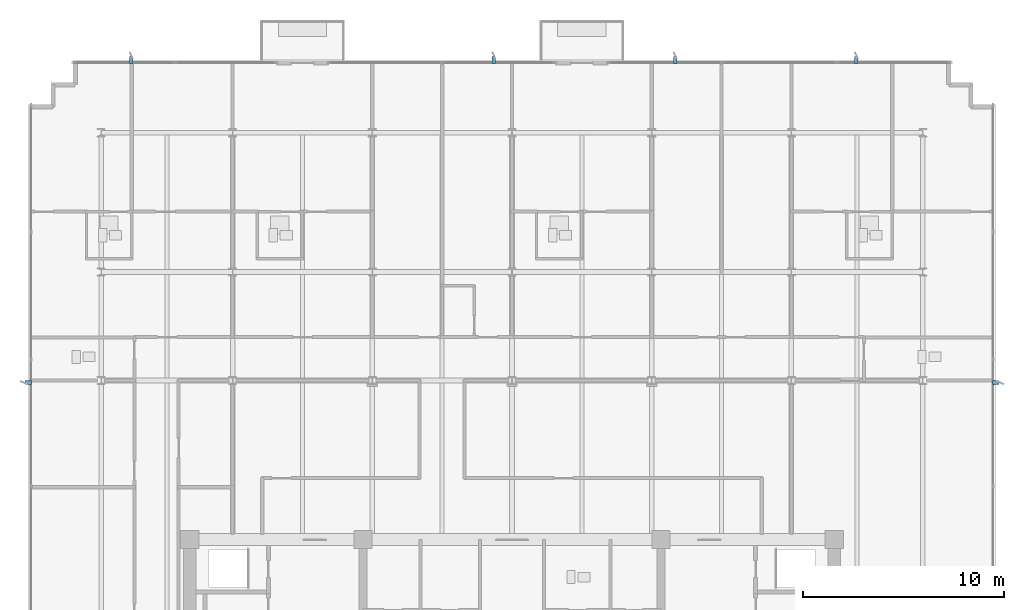
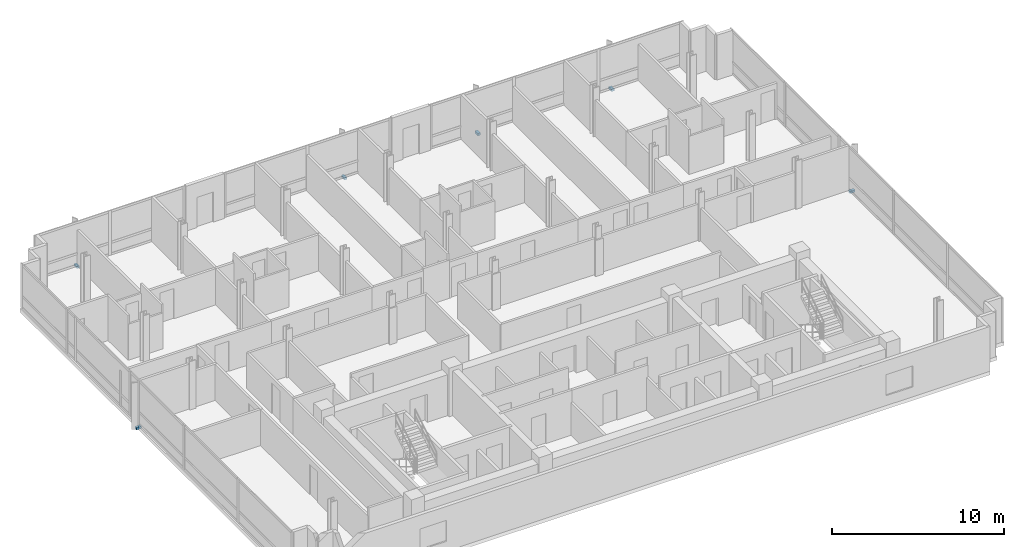
# One storey, part 12 of 15: 6 discrete accessories.
"""IFC4 building model written with IfcOpenShell, lengths in metres."""

from ifc_helpers import new_model, si_unit, direction, frame, origin, origin_2d, place, context, subcontext, project, spatial, rectangle, extrude, material, type_object, element, save


model = new_model("IFC4")

# Units and contexts
model_context = context("Model", 3, precision=1e-05, world=origin(), true_north=direction((0.0, 1.0)))
body_context = subcontext(model_context, "Body", "Model", "MODEL_VIEW")
ifc_project = project(units=[si_unit("LENGTHUNIT", "METRE"), si_unit("AREAUNIT", "SQUARE_METRE"), si_unit("VOLUMEUNIT", "CUBIC_METRE"), si_unit("PLANEANGLEUNIT", "RADIAN"), si_unit("MASSUNIT", "GRAM", prefix="KILO")], contexts=[model_context])

# Site, building, storey
site_placement = place(None, origin())
site = spatial("IfcSite", under=ifc_project, at=site_placement, CompositionType="ELEMENT")
building_placement = place(site_placement, origin())
building = spatial("IfcBuilding", under=site, at=building_placement, Name="Solmavex Isthmus Hotel", CompositionType="ELEMENT")
storey_placement = place(building_placement, frame((0.0, 0.0, 259.199951171875)))
storey = spatial("IfcBuildingStorey", under=building, at=storey_placement, Name="L70", CompositionType="ELEMENT", Elevation=259.199951171875)

# Discrete accessories
ifc_material = material(Name="Steel ASTM A572 Grade 50", Category="steel")
discrete_accessory_type = type_object("IfcDiscreteAccessoryType", Name="ACC-BRK-FIN", PredefinedType="BRACKET", material=ifc_material)
for number, where, z_axis, x_axis, name in (
    (1, (-18.89990234375, 21.320068359375, -0.169921875), (0.0, 0.0, 1.0), (0.0, 1.0, 0.0), "Facade Fin Support Bracket L70-N1"),
    (2, (-0.89990234375, 21.320068359375, -0.169921875), (0.0, 0.0, 1.0), (0.0, 1.0, 0.0), "Facade Fin Support Bracket L70-N2"),
    (3, (8.10009765625, 21.320068359375, -0.169921875), (0.0, 0.0, 1.0), (0.0, 1.0, 0.0), "Facade Fin Support Bracket L70-N3"),
    (4, (17.10009765625, 21.320068359375, -0.169921875), (0.0, 0.0, 1.0), (0.0, 1.0, 0.0), "Facade Fin Support Bracket L70-N4"),
    (5, (-24.02001953125, 5.300048828125, -0.169921875), (0.0, 0.0, 1.0), (-1.0, 0.0, 0.0), "Facade Fin Support Bracket L70-W1"),
    (6, (24.02001953125, 5.300048828125, -0.169921875), (0.0, 0.0, 1.0), (1.0, 0.0, 0.0), "Facade Fin Support Bracket L70-E1"),
):
    element("IfcDiscreteAccessory", number, at=place(storey_placement, frame(where, z_axis=z_axis, x_axis=x_axis)), inside=storey, type_object=discrete_accessory_type, Name=name, PredefinedType="BRACKET", context=body_context, shape_type="SweptSolid", body=[
        extrude(rectangle(XDim=0.340087890625, YDim=0.179931640625, at=origin_2d()), origin(), (0.0, 0.0, 1.0), 0.159912109375),
    ])

save(model, "model.ifc")
